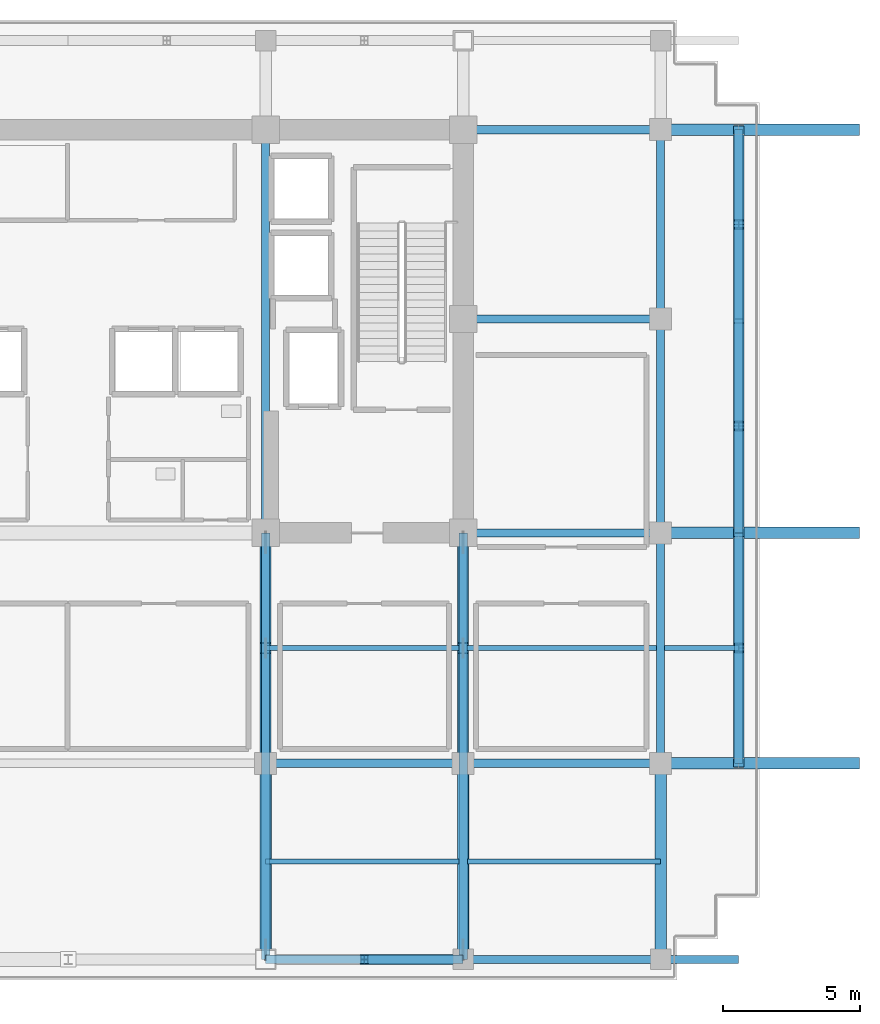
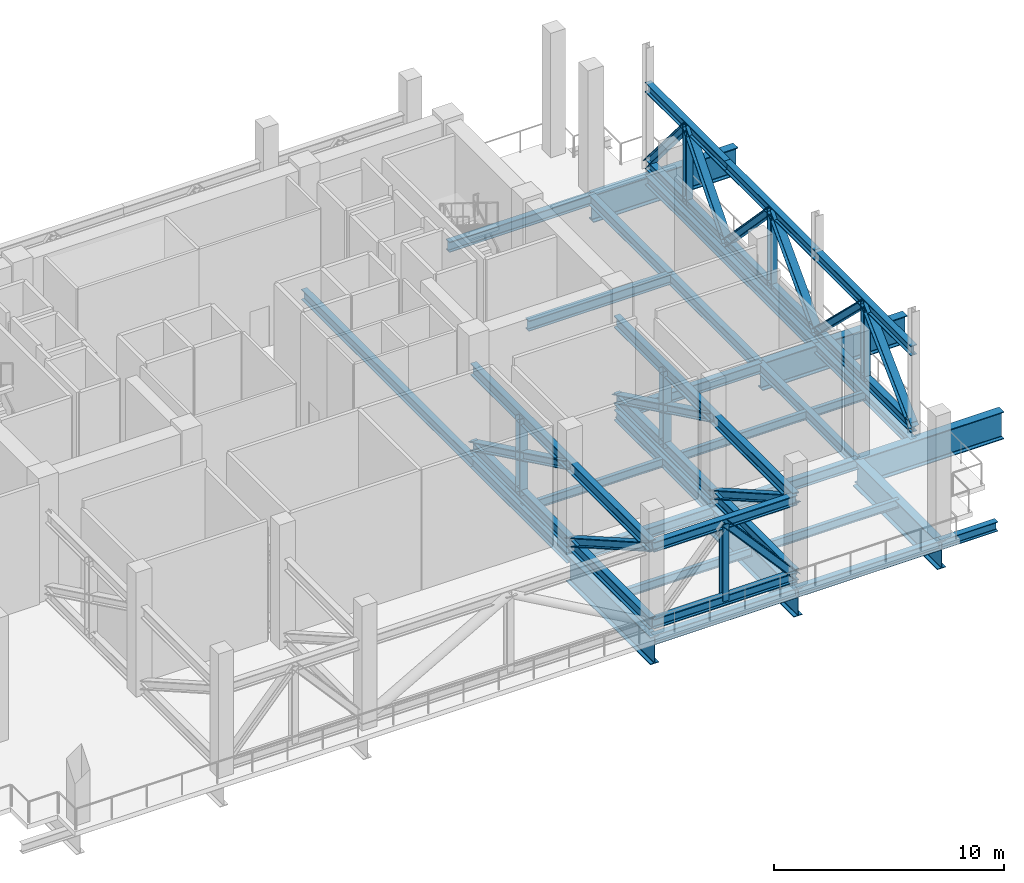
# One storey, part 3 of 13: 29 members, 27 beams.
"""IFC4 building model written with IfcOpenShell, lengths in metres."""

from ifc_helpers import new_model, si_unit, direction, frame, origin, origin_2d, place, context, subcontext, project, spatial, i_section, extrude, source, transform, mapped, material, material_profile, profile_set, type_object, element, save


model = new_model("IFC4")

# Units and contexts
model_context = context("Model", 3, precision=1e-05, world=origin(), true_north=direction((0.0, 1.0)))
body_context = subcontext(model_context, "Body", "Model", "MODEL_VIEW")
ifc_project = project(units=[si_unit("LENGTHUNIT", "METRE"), si_unit("AREAUNIT", "SQUARE_METRE"), si_unit("VOLUMEUNIT", "CUBIC_METRE"), si_unit("PLANEANGLEUNIT", "RADIAN"), si_unit("MASSUNIT", "GRAM", prefix="KILO")], contexts=[model_context])

# Site, building, storey
site_placement = place(None, origin())
site = spatial("IfcSite", under=ifc_project, at=site_placement, CompositionType="ELEMENT")
building_placement = place(site_placement, origin())
building = spatial("IfcBuilding", under=site, at=building_placement, Name="Zarnakvel Exchange Tower", CompositionType="ELEMENT")
storey_placement = place(building_placement, frame((0.0, 0.0, 139.60009765625)))
storey = spatial("IfcBuildingStorey", under=building, at=storey_placement, Name="L39", CompositionType="ELEMENT", Elevation=139.60009765625)

# Beams
ifc_material_1 = material(Name="Steel S355", Category="steel")
ifc_material_profile_1 = material_profile(ifc_material_1, i_section(OverallWidth=0.18994140625, OverallDepth=0.449951171875, WebThickness=0.009521484375, FlangeThickness=0.0146484375, FilletRadius=0.02099609375, at=origin_2d()))
ifc_profile_set_1 = profile_set([ifc_material_profile_1], Name="Steel S355")
beam_type_1 = type_object("IfcBeamType", Name="B-05", PredefinedType="JOIST", material=ifc_profile_set_1)
for number, where, z_axis, x_axis, name in (
    (1, (7.199951171875, -13.175048828125, -0.47509765625), (1.0, 0.0, 0.0), (0.0, 1.0, 0.0), "L39 Composite Floor Secondary Joist"),
    (2, (14.554931640625, -13.175048828125, -0.47509765625), (1.0, 0.0, 0.0), (0.0, 1.0, 0.0), "L39 Composite Floor Secondary Joist"),
):
    element("IfcBeam", number, at=place(storey_placement, frame(where, z_axis=z_axis, x_axis=x_axis)), inside=storey, type_object=beam_type_1, Name=name, PredefinedType="JOIST", context=body_context, shape_type="SweptSolid", body=[
        extrude(i_section(OverallWidth=0.18994140625, OverallDepth=0.449951171875, WebThickness=0.009521484375, FlangeThickness=0.0146484375, FilletRadius=0.02099609375, at=origin_2d()), origin(), (0.0, 0.0, 1.0), 7.045166015625),
    ])
beam_1_placement = place(storey_placement, frame((7.199951171875, -5.39990234375, -0.47509765625), z_axis=(1.0, 0.0, 0.0), x_axis=(0.0, 1.0, 0.0)))
element("IfcBeam", 3, at=beam_1_placement, inside=storey, type_object=beam_type_1, Name="L39 Composite Floor Secondary Joist", PredefinedType="JOIST", context=body_context, shape_type="SweptSolid", body=[
    extrude(i_section(OverallWidth=0.18994140625, OverallDepth=0.449951171875, WebThickness=0.009521484375, FlangeThickness=0.0146484375, FilletRadius=0.02099609375, at=origin_2d()), origin(), (0.0, 0.0, 1.0), 7.050048828125),
])
beam_2_placement = place(storey_placement, frame((14.550048828125, -5.39990234375, -0.47509765625), z_axis=(1.0, 0.0, 0.0), x_axis=(0.0, 1.0, 0.0)))
element("IfcBeam", 4, at=beam_2_placement, inside=storey, type_object=beam_type_1, Name="L39 Composite Floor Secondary Joist", PredefinedType="JOIST", context=body_context, shape_type="SweptSolid", body=[
    extrude(i_section(OverallWidth=0.18994140625, OverallDepth=0.449951171875, WebThickness=0.009521484375, FlangeThickness=0.0146484375, FilletRadius=0.02099609375, at=origin_2d()), origin(), (0.0, 0.0, 1.0), 6.89990234375),
])
beam_3_placement = place(storey_placement, frame((21.75, -5.39990234375, -0.47509765625), z_axis=(1.0, 0.0, 0.0), x_axis=(0.0, 1.0, 0.0)))
element("IfcBeam", 5, at=beam_3_placement, inside=storey, type_object=beam_type_1, Name="L39 Composite Floor Secondary Joist", PredefinedType="JOIST", context=body_context, shape_type="SweptSolid", body=[
    extrude(i_section(OverallWidth=0.18994140625, OverallDepth=0.449951171875, WebThickness=0.009521484375, FlangeThickness=0.0146484375, FilletRadius=0.02099609375, at=origin_2d()), origin(), (0.0, 0.0, 1.0), 2.699951171875),
])
ifc_material_profile_2 = material_profile(ifc_material_1, i_section(OverallWidth=0.300048828125, OverallDepth=0.550048828125, WebThickness=0.014892578125, FlangeThickness=0.029052734375, FilletRadius=0.027099609375, at=origin_2d()))
ifc_profile_set_2 = profile_set([ifc_material_profile_2], Name="Steel S355")
beam_type_2 = type_object("IfcBeamType", Name="G-05", PredefinedType="BEAM", material=ifc_profile_set_2)
beam_4_placement = place(storey_placement, frame((7.199951171875, -9.60009765625, -0.525146484375), z_axis=(1.0, 0.0, 0.0), x_axis=(0.0, 1.0, 0.0)))
element("IfcBeam", 6, at=beam_4_placement, inside=storey, type_object=beam_type_2, Name="L39 Tower E-W Frame Beam", PredefinedType="BEAM", context=body_context, shape_type="SweptSolid", body=[
    extrude(i_section(OverallWidth=0.300048828125, OverallDepth=0.550048828125, WebThickness=0.014892578125, FlangeThickness=0.029052734375, FilletRadius=0.027099609375, at=origin_2d()), origin(), (0.0, 0.0, 1.0), 7.199951171875),
])
for number, where, z_axis, x_axis, name in (
    (7, (14.39990234375, -9.60009765625, -0.525146484375), (1.0, 0.0, 0.0), (0.0, 1.0, 0.0), "L39 Tower E-W Frame Beam"),
    (8, (14.39990234375, -1.199951171875, -0.525146484375), (1.0, 0.0, 0.0), (0.0, 1.0, 0.0), "L39 Tower E-W Frame Beam"),
    (9, (14.39990234375, 6.60009765625, -0.525146484375), (1.0, 0.0, 0.0), (0.0, 1.0, 0.0), "L39 Tower E-W Frame Beam"),
    (10, (14.39990234375, 13.5, -0.525146484375), (1.0, 0.0, 0.0), (0.0, 1.0, 0.0), "L39 Tower E-W Frame Beam"),
):
    element("IfcBeam", number, at=place(storey_placement, frame(where, z_axis=z_axis, x_axis=x_axis)), inside=storey, type_object=beam_type_2, Name=name, PredefinedType="BEAM", context=body_context, shape_type="SweptSolid", body=[
        extrude(i_section(OverallWidth=0.300048828125, OverallDepth=0.550048828125, WebThickness=0.014892578125, FlangeThickness=0.029052734375, FilletRadius=0.027099609375, at=origin_2d()), origin(), (0.0, 0.0, 1.0), 7.2001953125),
    ])
beam_5_placement = place(storey_placement, frame((7.199951171875, -9.60009765625, -0.525146484375), z_axis=(0.0, 1.0, 0.0), x_axis=(-1.0, 0.0, 0.0)))
element("IfcBeam", 11, at=beam_5_placement, inside=storey, type_object=beam_type_2, Name="L39 Tower N-S Frame Beam", PredefinedType="BEAM", context=body_context, shape_type="SweptSolid", body=[
    extrude(i_section(OverallWidth=0.300048828125, OverallDepth=0.550048828125, WebThickness=0.014892578125, FlangeThickness=0.029052734375, FilletRadius=0.027099609375, at=origin_2d()), origin(), (0.0, 0.0, 1.0), 8.400146484375),
])
beam_6_placement = place(storey_placement, frame((7.199951171875, -1.199951171875, -0.525146484375), z_axis=(0.0, 1.0, 0.0), x_axis=(-1.0, 0.0, 0.0)))
element("IfcBeam", 12, at=beam_6_placement, inside=storey, type_object=beam_type_2, Name="L39 Tower N-S Frame Beam", PredefinedType="BEAM", context=body_context, shape_type="SweptSolid", body=[
    extrude(i_section(OverallWidth=0.300048828125, OverallDepth=0.550048828125, WebThickness=0.014892578125, FlangeThickness=0.029052734375, FilletRadius=0.027099609375, at=origin_2d()), origin(), (0.0, 0.0, 1.0), 14.699951171875),
])
for number, where, z_axis, x_axis, name in (
    (13, (14.39990234375, -9.60009765625, -0.525146484375), (0.0, 1.0, 0.0), (-1.0, 0.0, 0.0), "L39 Tower N-S Frame Beam"),
    (14, (21.60009765625, -9.60009765625, -0.525146484375), (0.0, 1.0, 0.0), (-1.0, 0.0, 0.0), "L39 Tower N-S Frame Beam"),
):
    element("IfcBeam", number, at=place(storey_placement, frame(where, z_axis=z_axis, x_axis=x_axis)), inside=storey, type_object=beam_type_2, Name=name, PredefinedType="BEAM", context=body_context, shape_type="SweptSolid", body=[
        extrude(i_section(OverallWidth=0.300048828125, OverallDepth=0.550048828125, WebThickness=0.014892578125, FlangeThickness=0.029052734375, FilletRadius=0.027099609375, at=origin_2d()), origin(), (0.0, 0.0, 1.0), 8.400146484375),
    ])
beam_7_placement = place(storey_placement, frame((21.60009765625, -1.199951171875, -0.525146484375), z_axis=(0.0, 1.0, 0.0), x_axis=(-1.0, 0.0, 0.0)))
element("IfcBeam", 15, at=beam_7_placement, inside=storey, type_object=beam_type_2, Name="L39 Tower N-S Frame Beam", PredefinedType="BEAM", context=body_context, shape_type="SweptSolid", body=[
    extrude(i_section(OverallWidth=0.300048828125, OverallDepth=0.550048828125, WebThickness=0.014892578125, FlangeThickness=0.029052734375, FilletRadius=0.027099609375, at=origin_2d()), origin(), (0.0, 0.0, 1.0), 7.800048828125),
])
beam_8_placement = place(storey_placement, frame((21.60009765625, 6.60009765625, -0.525146484375), z_axis=(0.0, 1.0, 0.0), x_axis=(-1.0, 0.0, 0.0)))
element("IfcBeam", 16, at=beam_8_placement, inside=storey, type_object=beam_type_2, Name="L39 Tower N-S Frame Beam", PredefinedType="BEAM", context=body_context, shape_type="SweptSolid", body=[
    extrude(i_section(OverallWidth=0.300048828125, OverallDepth=0.550048828125, WebThickness=0.014892578125, FlangeThickness=0.029052734375, FilletRadius=0.027099609375, at=origin_2d()), origin(), (0.0, 0.0, 1.0), 6.89990234375),
])
ifc_material_profile_3 = material_profile(ifc_material_1, i_section(OverallWidth=0.300048828125, OverallDepth=0.5, WebThickness=0.014404296875, FlangeThickness=0.028076171875, FilletRadius=0.027099609375, at=origin_2d()))
ifc_profile_set_3 = profile_set([ifc_material_profile_3], Name="Steel S355")
beam_type_3 = type_object("IfcBeamType", Name="SP-02", PredefinedType="SPANDREL", material=ifc_profile_set_3)
beam_9_placement = place(storey_placement, frame((7.199951171875, -16.75, -0.5), z_axis=(1.0, 0.0, 0.0), x_axis=(0.0, 1.0, 0.0)))
element("IfcBeam", 17, at=beam_9_placement, inside=storey, type_object=beam_type_3, Name="L39 Tower E-W Frame Beam", PredefinedType="SPANDREL", context=body_context, shape_type="SweptSolid", body=[
    extrude(i_section(OverallWidth=0.300048828125, OverallDepth=0.5, WebThickness=0.014404296875, FlangeThickness=0.028076171875, FilletRadius=0.027099609375, at=origin_2d()), origin(), (0.0, 0.0, 1.0), 7.199951171875),
])
beam_10_placement = place(storey_placement, frame((14.39990234375, -16.75, -0.5), z_axis=(1.0, 0.0, 0.0), x_axis=(0.0, 1.0, 0.0)))
element("IfcBeam", 18, at=beam_10_placement, inside=storey, type_object=beam_type_3, Name="L39 Tower E-W Frame Beam", PredefinedType="SPANDREL", context=body_context, shape_type="SweptSolid", body=[
    extrude(i_section(OverallWidth=0.300048828125, OverallDepth=0.5, WebThickness=0.014404296875, FlangeThickness=0.028076171875, FilletRadius=0.027099609375, at=origin_2d()), origin(), (0.0, 0.0, 1.0), 7.2001953125),
])
beam_11_placement = place(storey_placement, frame((24.449951171875, -9.60009765625, -0.5), z_axis=(0.0, 1.0, 0.0), x_axis=(-1.0, 0.0, 0.0)))
element("IfcBeam", 19, at=beam_11_placement, inside=storey, type_object=beam_type_3, Name="L39 Tower N-S Frame Beam", PredefinedType="SPANDREL", context=body_context, shape_type="SweptSolid", body=[
    extrude(i_section(OverallWidth=0.300048828125, OverallDepth=0.5, WebThickness=0.014404296875, FlangeThickness=0.028076171875, FilletRadius=0.027099609375, at=origin_2d()), origin(), (0.0, 0.0, 1.0), 8.400146484375),
])
beam_12_placement = place(storey_placement, frame((24.449951171875, -1.199951171875, -0.5), z_axis=(0.0, 1.0, 0.0), x_axis=(-1.0, 0.0, 0.0)))
element("IfcBeam", 20, at=beam_12_placement, inside=storey, type_object=beam_type_3, Name="L39 Tower N-S Frame Beam", PredefinedType="SPANDREL", context=body_context, shape_type="SweptSolid", body=[
    extrude(i_section(OverallWidth=0.300048828125, OverallDepth=0.5, WebThickness=0.014404296875, FlangeThickness=0.028076171875, FilletRadius=0.027099609375, at=origin_2d()), origin(), (0.0, 0.0, 1.0), 14.699951171875),
])
beam_13_placement = place(storey_placement, frame((21.60009765625, -16.75, -0.5), z_axis=(1.0, 0.0, 0.0), x_axis=(0.0, 1.0, 0.0)))
element("IfcBeam", 21, at=beam_13_placement, inside=storey, type_object=beam_type_3, Name="L39 South-East Corner Spandrel", PredefinedType="SPANDREL", context=body_context, shape_type="SweptSolid", body=[
    extrude(i_section(OverallWidth=0.300048828125, OverallDepth=0.5, WebThickness=0.014404296875, FlangeThickness=0.028076171875, FilletRadius=0.027099609375, at=origin_2d()), origin(), (0.0, 0.0, 1.0), 2.849853515625),
])
ifc_material_2 = material(Name="Steel S460", Category="steel")
ifc_material_profile_4 = material_profile(ifc_material_2, i_section(OverallWidth=0.419921875, OverallDepth=1.449951171875, WebThickness=0.02392578125, FlangeThickness=0.0400390625, FilletRadius=0.030029296875, at=origin_2d()))
ifc_profile_set_4 = profile_set([ifc_material_profile_4], Name="Steel S460")
beam_type_4 = type_object("IfcBeamType", Name="TG-01", PredefinedType="BEAM", material=ifc_profile_set_4)
for number, where, z_axis, x_axis, name in (
    (22, (7.199951171875, -16.949951171875, -0.97509765625), (0.0, 1.0, 0.0), (-1.0, 0.0, 0.0), "L39 Setback N-S Transfer Girder TS-8"),
    (23, (14.39990234375, -16.949951171875, -0.97509765625), (0.0, 1.0, 0.0), (-1.0, 0.0, 0.0), "L39 Setback N-S Transfer Girder TS-9"),
    (24, (21.60009765625, -16.949951171875, -0.97509765625), (0.0, 1.0, 0.0), (-1.0, 0.0, 0.0), "L39 Setback N-S Transfer Girder TS-10"),
):
    element("IfcBeam", number, at=place(storey_placement, frame(where, z_axis=z_axis, x_axis=x_axis)), inside=storey, type_object=beam_type_4, Name=name, PredefinedType="BEAM", context=body_context, shape_type="SweptSolid", body=[
        extrude(i_section(OverallWidth=0.419921875, OverallDepth=1.449951171875, WebThickness=0.02392578125, FlangeThickness=0.0400390625, FilletRadius=0.030029296875, at=origin_2d()), origin(), (0.0, 0.0, 1.0), 7.349853515625),
    ])
for number, where, z_axis, x_axis, name in (
    (25, (21.60009765625, -9.60009765625, -0.97509765625), (1.0, 0.0, 0.0), (0.0, 1.0, 0.0), "L39 Setback E-W Transfer Girder TE-C"),
    (26, (21.60009765625, -1.199951171875, -0.97509765625), (1.0, 0.0, 0.0), (0.0, 1.0, 0.0), "L39 Setback E-W Transfer Girder TE-D"),
    (27, (21.60009765625, 13.5, -0.97509765625), (1.0, 0.0, 0.0), (0.0, 1.0, 0.0), "L39 Setback E-W Transfer Girder TE-F"),
):
    element("IfcBeam", number, at=place(storey_placement, frame(where, z_axis=z_axis, x_axis=x_axis)), inside=storey, type_object=beam_type_4, Name=name, PredefinedType="BEAM", context=body_context, shape_type="SweptSolid", body=[
        extrude(i_section(OverallWidth=0.419921875, OverallDepth=1.449951171875, WebThickness=0.02392578125, FlangeThickness=0.0400390625, FilletRadius=0.030029296875, at=origin_2d()), origin(), (0.0, 0.0, 1.0), 7.25),
    ])

# Members
ifc_material_profile_5 = material_profile(ifc_material_1, i_section(OverallWidth=0.305908203125, OverallDepth=0.52392578125, WebThickness=0.02099609375, FlangeThickness=0.0400390625, FilletRadius=0.027099609375, at=origin_2d()))
ifc_profile_set_5 = profile_set([ifc_material_profile_5], Name="Steel S355")
member_type_1 = type_object("IfcMemberType", Name="BT-02", PredefinedType="CHORD", material=ifc_profile_set_5)
shared_shape_1 = source(origin(), body_context, "Body", "SweptSolid", [
    extrude(i_section(OverallWidth=0.305908203125, OverallDepth=0.52392578125, WebThickness=0.02099609375, FlangeThickness=0.0400390625, FilletRadius=0.027099609375, at=origin_2d()), origin(), (0.0, 0.0, 1.0), 7.199951171875),
])
for number, where, z_axis, x_axis, name in (
    (28, (7.199951171875, -16.75, 0.349853515625), (1.0, 0.0, 0.0), (0.0, 1.0, 0.0), "L39 Belt Truss Bottom Chord S-E1"),
    (29, (7.199951171875, -16.75, 4.4248046875), (1.0, 0.0, 0.0), (0.0, 1.0, 0.0), "L39 Belt Truss Top Chord S-E1"),
):
    element("IfcMember", number, at=place(storey_placement, frame(where, z_axis=z_axis, x_axis=x_axis)), inside=storey, type_object=member_type_1, Name=name, PredefinedType="CHORD", context=body_context, shape_type="MappedRepresentation", body=[
        mapped(shared_shape_1, transform((0.0, 0.0, 0.0), x_axis=(1.0, 0.0, 0.0), y_axis=(0.0, 1.0, 0.0), z_axis=(0.0, 0.0, 1.0), scale=1.0)),
    ])
shared_shape_2 = source(origin(), body_context, "Body", "SweptSolid", [
    extrude(i_section(OverallWidth=0.305908203125, OverallDepth=0.52392578125, WebThickness=0.02099609375, FlangeThickness=0.0400390625, FilletRadius=0.027099609375, at=origin_2d()), origin(), (0.0, 0.0, 1.0), 8.400146484375),
])
for number, where, z_axis, x_axis, name in (
    (30, (24.449951171875, -9.60009765625, 0.349853515625), (0.0, 1.0, 0.0), (-1.0, 0.0, 0.0), "L39 Belt Truss Bottom Chord E-1"),
    (31, (24.449951171875, -9.60009765625, 4.4248046875), (0.0, 1.0, 0.0), (-1.0, 0.0, 0.0), "L39 Belt Truss Top Chord E-1"),
):
    element("IfcMember", number, at=place(storey_placement, frame(where, z_axis=z_axis, x_axis=x_axis)), inside=storey, type_object=member_type_1, Name=name, PredefinedType="CHORD", context=body_context, shape_type="MappedRepresentation", body=[
        mapped(shared_shape_2, transform((0.0, 0.0, 0.0), x_axis=(1.0, 0.0, 0.0), y_axis=(0.0, 1.0, 0.0), z_axis=(0.0, 0.0, 1.0), scale=1.0)),
    ])
shared_shape_3 = source(origin(), body_context, "Body", "SweptSolid", [
    extrude(i_section(OverallWidth=0.305908203125, OverallDepth=0.52392578125, WebThickness=0.02099609375, FlangeThickness=0.0400390625, FilletRadius=0.027099609375, at=origin_2d()), origin(), (0.0, 0.0, 1.0), 7.800048828125),
])
for number, where, z_axis, x_axis, name in (
    (32, (24.449951171875, -1.199951171875, 0.349853515625), (0.0, 1.0, 0.0), (-1.0, 0.0, 0.0), "L39 Belt Truss Bottom Chord E-2"),
    (33, (24.449951171875, -1.199951171875, 4.4248046875), (0.0, 1.0, 0.0), (-1.0, 0.0, 0.0), "L39 Belt Truss Top Chord E-2"),
):
    element("IfcMember", number, at=place(storey_placement, frame(where, z_axis=z_axis, x_axis=x_axis)), inside=storey, type_object=member_type_1, Name=name, PredefinedType="CHORD", context=body_context, shape_type="MappedRepresentation", body=[
        mapped(shared_shape_3, transform((0.0, 0.0, 0.0), x_axis=(1.0, 0.0, 0.0), y_axis=(0.0, 1.0, 0.0), z_axis=(0.0, 0.0, 1.0), scale=1.0)),
    ])
shared_shape_4 = source(origin(), body_context, "Body", "SweptSolid", [
    extrude(i_section(OverallWidth=0.305908203125, OverallDepth=0.52392578125, WebThickness=0.02099609375, FlangeThickness=0.0400390625, FilletRadius=0.027099609375, at=origin_2d()), origin(), (0.0, 0.0, 1.0), 6.89990234375),
])
for number, where, z_axis, x_axis, name in (
    (34, (24.449951171875, 6.60009765625, 0.349853515625), (0.0, 1.0, 0.0), (-1.0, 0.0, 0.0), "L39 Belt Truss Bottom Chord E-3"),
    (35, (24.449951171875, 6.60009765625, 4.4248046875), (0.0, 1.0, 0.0), (-1.0, 0.0, 0.0), "L39 Belt Truss Top Chord E-3"),
):
    element("IfcMember", number, at=place(storey_placement, frame(where, z_axis=z_axis, x_axis=x_axis)), inside=storey, type_object=member_type_1, Name=name, PredefinedType="CHORD", context=body_context, shape_type="MappedRepresentation", body=[
        mapped(shared_shape_4, transform((0.0, 0.0, 0.0), x_axis=(1.0, 0.0, 0.0), y_axis=(0.0, 1.0, 0.0), z_axis=(0.0, 0.0, 1.0), scale=1.0)),
    ])
ifc_material_profile_6 = material_profile(ifc_material_2, i_section(OverallWidth=0.304931640625, OverallDepth=0.6201171875, WebThickness=0.02099609375, FlangeThickness=0.0400390625, FilletRadius=0.027099609375, at=origin_2d()))
ifc_profile_set_6 = profile_set([ifc_material_profile_6], Name="Steel S460")
member_type_2 = type_object("IfcMemberType", Name="OT-02", PredefinedType="CHORD", material=ifc_profile_set_6)
shared_shape_5 = source(origin(), body_context, "Body", "SweptSolid", [
    extrude(i_section(OverallWidth=0.304931640625, OverallDepth=0.6201171875, WebThickness=0.02099609375, FlangeThickness=0.0400390625, FilletRadius=0.027099609375, at=origin_2d()), origin(), (0.0, 0.0, 1.0), 15.550048828125),
])
for number, where, z_axis, x_axis, name in (
    (36, (7.199951171875, -16.75, 0.349853515625), (0.0, 1.0, 0.0), (-1.0, 0.0, 0.0), "L39 Outrigger Bottom Chord Grid 8"),
    (37, (7.199951171875, -16.75, 4.4248046875), (0.0, 1.0, 0.0), (-1.0, 0.0, 0.0), "L39 Outrigger Top Chord Grid 8"),
    (38, (14.39990234375, -16.75, 0.349853515625), (0.0, 1.0, 0.0), (-1.0, 0.0, 0.0), "L39 Outrigger Bottom Chord Grid 9"),
    (39, (14.39990234375, -16.75, 4.4248046875), (0.0, 1.0, 0.0), (-1.0, 0.0, 0.0), "L39 Outrigger Top Chord Grid 9"),
):
    element("IfcMember", number, at=place(storey_placement, frame(where, z_axis=z_axis, x_axis=x_axis)), inside=storey, type_object=member_type_2, Name=name, PredefinedType="CHORD", context=body_context, shape_type="MappedRepresentation", body=[
        mapped(shared_shape_5, transform((0.0, 0.0, 0.0), x_axis=(1.0, 0.0, 0.0), y_axis=(0.0, 1.0, 0.0), z_axis=(0.0, 0.0, 1.0), scale=1.0)),
    ])
ifc_material_profile_7 = material_profile(ifc_material_2, i_section(OverallWidth=0.404052734375, OverallDepth=0.406982421875, WebThickness=0.0224609375, FlangeThickness=0.031982421875, FilletRadius=0.014892578125, at=origin_2d()))
ifc_profile_set_7 = profile_set([ifc_material_profile_7], Name="Steel S460")
member_type_3 = type_object("IfcMemberType", Name="OT-03", PredefinedType="STRUT", material=ifc_profile_set_7)
shared_shape_6 = source(origin(), body_context, "Body", "SweptSolid", [
    extrude(i_section(OverallWidth=0.404052734375, OverallDepth=0.406982421875, WebThickness=0.0224609375, FlangeThickness=0.031982421875, FilletRadius=0.014892578125, at=origin_2d()), origin(), (0.0, 0.0, 1.0), 4.074951171875),
])
for number, where, z_axis, x_axis, name in (
    (40, (7.199951171875, -5.39990234375, 0.349853515625), (0.0, 0.0, 1.0), (1.0, 0.0, 0.0), "L39 Outrigger Web Post Grid 8"),
    (41, (14.39990234375, -5.39990234375, 0.349853515625), (0.0, 0.0, 1.0), (1.0, 0.0, 0.0), "L39 Outrigger Web Post Grid 9"),
):
    element("IfcMember", number, at=place(storey_placement, frame(where, z_axis=z_axis, x_axis=x_axis)), inside=storey, type_object=member_type_3, Name=name, PredefinedType="STRUT", context=body_context, shape_type="MappedRepresentation", body=[
        mapped(shared_shape_6, transform((0.0, 0.0, 0.0), x_axis=(1.0, 0.0, 0.0), y_axis=(0.0, 1.0, 0.0), z_axis=(0.0, 0.0, 1.0), scale=1.0)),
    ])
ifc_material_profile_8 = material_profile(ifc_material_2, i_section(OverallWidth=0.412109375, OverallDepth=0.425048828125, WebThickness=0.02587890625, FlangeThickness=0.0390625, FilletRadius=0.014892578125, at=origin_2d()))
ifc_profile_set_8 = profile_set([ifc_material_profile_8], Name="Steel S460")
member_type_4 = type_object("IfcMemberType", Name="OT-01", PredefinedType="BRACE", material=ifc_profile_set_8)
shared_shape_7 = source(origin(), body_context, "Body", "SweptSolid", [
    extrude(i_section(OverallWidth=0.412109375, OverallDepth=0.425048828125, WebThickness=0.02587890625, FlangeThickness=0.0390625, FilletRadius=0.014892578125, at=origin_2d()), origin(), (0.0, 0.0, 1.0), 9.33642578125),
])
for number, where, z_axis, x_axis, name in (
    (42, (7.199951171875, -1.199951171875, 0.349853515625), (0.0, -0.89972356607, 0.436460198252), (1.0, 0.0, 0.0), "L39 Outrigger Inner Diagonal 1 Grid 8"),
    (43, (14.39990234375, -1.199951171875, 0.349853515625), (0.0, -0.89972356607, 0.436460198252), (1.0, 0.0, 0.0), "L39 Outrigger Inner Diagonal 1 Grid 9"),
):
    element("IfcMember", number, at=place(storey_placement, frame(where, z_axis=z_axis, x_axis=x_axis)), inside=storey, type_object=member_type_4, Name=name, PredefinedType="BRACE", context=body_context, shape_type="MappedRepresentation", body=[
        mapped(shared_shape_7, transform((0.0, 0.0, 0.0), x_axis=(1.0, 0.0, 0.0), y_axis=(0.0, 1.0, 0.0), z_axis=(0.0, 0.0, 1.0), scale=1.0)),
    ])
shared_shape_8 = source(origin(), body_context, "Body", "SweptSolid", [
    extrude(i_section(OverallWidth=0.412109375, OverallDepth=0.425048828125, WebThickness=0.02587890625, FlangeThickness=0.0390625, FilletRadius=0.014892578125, at=origin_2d()), origin(), (0.0, 0.0, 1.0), 8.2294921875),
])
for number, where, z_axis, x_axis, name in (
    (44, (7.199951171875, -9.60009765625, 0.349853515625), (0.0, -0.868803050291, 0.49515781303), (1.0, 0.0, 0.0), "L39 Outrigger Outer Diagonal 2 Grid 8"),
    (45, (14.39990234375, -9.60009765625, 0.349853515625), (0.0, -0.868803050291, 0.49515781303), (1.0, 0.0, 0.0), "L39 Outrigger Outer Diagonal 2 Grid 9"),
):
    element("IfcMember", number, at=place(storey_placement, frame(where, z_axis=z_axis, x_axis=x_axis)), inside=storey, type_object=member_type_4, Name=name, PredefinedType="BRACE", context=body_context, shape_type="MappedRepresentation", body=[
        mapped(shared_shape_8, transform((0.0, 0.0, 0.0), x_axis=(1.0, 0.0, 0.0), y_axis=(0.0, 1.0, 0.0), z_axis=(0.0, 0.0, 1.0), scale=1.0)),
    ])
ifc_material_profile_9 = material_profile(ifc_material_1, i_section(OverallWidth=0.30908203125, OverallDepth=0.35888671875, WebThickness=0.02099609375, FlangeThickness=0.033935546875, FilletRadius=0.014892578125, at=origin_2d()))
ifc_profile_set_9 = profile_set([ifc_material_profile_9], Name="Steel S355")
member_type_5 = type_object("IfcMemberType", Name="BT-03", PredefinedType="STRUT", material=ifc_profile_set_9)
shared_shape_9 = source(origin(), body_context, "Body", "SweptSolid", [
    extrude(i_section(OverallWidth=0.30908203125, OverallDepth=0.35888671875, WebThickness=0.02099609375, FlangeThickness=0.033935546875, FilletRadius=0.014892578125, at=origin_2d()), origin(), (0.0, 0.0, 1.0), 4.074951171875),
])
for number, where, z_axis, x_axis, name in (
    (46, (10.800048828125, -16.75, 0.349853515625), (0.0, 0.0, 1.0), (1.0, 0.0, 0.0), "L39 Belt Truss Vertical Post S-E1"),
    (47, (24.449951171875, -5.39990234375, 0.349853515625), (0.0, 0.0, 1.0), (1.0, 0.0, 0.0), "L39 Belt Truss Vertical Post E-1"),
    (48, (24.449951171875, 2.699951171875, 0.349853515625), (0.0, 0.0, 1.0), (1.0, 0.0, 0.0), "L39 Belt Truss Vertical Post E-2"),
    (49, (24.449951171875, 10.050048828125, 0.349853515625), (0.0, 0.0, 1.0), (1.0, 0.0, 0.0), "L39 Belt Truss Vertical Post E-3"),
):
    element("IfcMember", number, at=place(storey_placement, frame(where, z_axis=z_axis, x_axis=x_axis)), inside=storey, type_object=member_type_5, Name=name, PredefinedType="STRUT", context=body_context, shape_type="MappedRepresentation", body=[
        mapped(shared_shape_9, transform((0.0, 0.0, 0.0), x_axis=(1.0, 0.0, 0.0), y_axis=(0.0, 1.0, 0.0), z_axis=(0.0, 0.0, 1.0), scale=1.0)),
    ])
ifc_material_profile_10 = material_profile(ifc_material_1, i_section(OverallWidth=0.3740234375, OverallDepth=0.364013671875, WebThickness=0.01806640625, FlangeThickness=0.027587890625, FilletRadius=0.014892578125, at=origin_2d()))
ifc_profile_set_10 = profile_set([ifc_material_profile_10], Name="Steel S355")
member_type_6 = type_object("IfcMemberType", Name="BT-01", PredefinedType="BRACE", material=ifc_profile_set_10)
shared_shape_10 = source(origin(), body_context, "Body", "SweptSolid", [
    extrude(i_section(OverallWidth=0.3740234375, OverallDepth=0.364013671875, WebThickness=0.01806640625, FlangeThickness=0.027587890625, FilletRadius=0.014892578125, at=origin_2d()), origin(), (0.0, 0.0, 1.0), 5.437255859375),
])
member_1_placement = place(storey_placement, frame((14.39990234375, -16.75, 0.349853515625), z_axis=(-0.66206703727, 0.0, 0.749444619809), x_axis=(0.0, -1.0, 0.0)))
element("IfcMember", 50, at=member_1_placement, inside=storey, type_object=member_type_6, Name="L39 Belt Truss Chevron Right S-E1", PredefinedType="BRACE", context=body_context, shape_type="MappedRepresentation", body=[
    mapped(shared_shape_10, transform((0.0, 0.0, 0.0), x_axis=(1.0, 0.0, 0.0), y_axis=(0.0, 1.0, 0.0), z_axis=(0.0, 0.0, 1.0), scale=1.0)),
])
shared_shape_11 = source(origin(), body_context, "Body", "SweptSolid", [
    extrude(i_section(OverallWidth=0.3740234375, OverallDepth=0.364013671875, WebThickness=0.01806640625, FlangeThickness=0.027587890625, FilletRadius=0.014892578125, at=origin_2d()), origin(), (0.0, 0.0, 1.0), 5.85205078125),
])
member_2_placement = place(storey_placement, frame((24.449951171875, -9.60009765625, 0.349853515625), z_axis=(0.0, 0.717726625898, 0.696324989123), x_axis=(-1.0, 0.0, 0.0)))
element("IfcMember", 51, at=member_2_placement, inside=storey, type_object=member_type_6, Name="L39 Belt Truss Chevron Left E-1", PredefinedType="BRACE", context=body_context, shape_type="MappedRepresentation", body=[
    mapped(shared_shape_11, transform((0.0, 0.0, 0.0), x_axis=(1.0, 0.0, 0.0), y_axis=(0.0, 1.0, 0.0), z_axis=(0.0, 0.0, 1.0), scale=1.0)),
])
shared_shape_12 = source(origin(), body_context, "Body", "SweptSolid", [
    extrude(i_section(OverallWidth=0.3740234375, OverallDepth=0.364013671875, WebThickness=0.01806640625, FlangeThickness=0.027587890625, FilletRadius=0.014892578125, at=origin_2d()), origin(), (0.0, 0.0, 1.0), 5.851806640625),
])
member_3_placement = place(storey_placement, frame((24.449951171875, -1.199951171875, 0.349853515625), z_axis=(0.0, -0.71770639696, 0.696345839194), x_axis=(1.0, 0.0, 0.0)))
element("IfcMember", 52, at=member_3_placement, inside=storey, type_object=member_type_6, Name="L39 Belt Truss Chevron Right E-1", PredefinedType="BRACE", context=body_context, shape_type="MappedRepresentation", body=[
    mapped(shared_shape_12, transform((0.0, 0.0, 0.0), x_axis=(1.0, 0.0, 0.0), y_axis=(0.0, 1.0, 0.0), z_axis=(0.0, 0.0, 1.0), scale=1.0)),
])
shared_shape_13 = source(origin(), body_context, "Body", "SweptSolid", [
    extrude(i_section(OverallWidth=0.3740234375, OverallDepth=0.364013671875, WebThickness=0.01806640625, FlangeThickness=0.027587890625, FilletRadius=0.014892578125, at=origin_2d()), origin(), (0.0, 0.0, 1.0), 5.640380859375),
])
member_4_placement = place(storey_placement, frame((24.449951171875, -1.199951171875, 0.349853515625), z_axis=(0.0, 0.691419171791, 0.722453824738), x_axis=(-1.0, 0.0, 0.0)))
element("IfcMember", 53, at=member_4_placement, inside=storey, type_object=member_type_6, Name="L39 Belt Truss Chevron Left E-2", PredefinedType="BRACE", context=body_context, shape_type="MappedRepresentation", body=[
    mapped(shared_shape_13, transform((0.0, 0.0, 0.0), x_axis=(1.0, 0.0, 0.0), y_axis=(0.0, 1.0, 0.0), z_axis=(0.0, 0.0, 1.0), scale=1.0)),
])
shared_shape_14 = source(origin(), body_context, "Body", "SweptSolid", [
    extrude(i_section(OverallWidth=0.3740234375, OverallDepth=0.364013671875, WebThickness=0.01806640625, FlangeThickness=0.027587890625, FilletRadius=0.014892578125, at=origin_2d()), origin(), (0.0, 0.0, 1.0), 5.640625),
])
member_5_placement = place(storey_placement, frame((24.449951171875, 6.60009765625, 0.349853515625), z_axis=(0.0, -0.691441762426, 0.722432203859), x_axis=(1.0, 0.0, 0.0)))
element("IfcMember", 54, at=member_5_placement, inside=storey, type_object=member_type_6, Name="L39 Belt Truss Chevron Right E-2", PredefinedType="BRACE", context=body_context, shape_type="MappedRepresentation", body=[
    mapped(shared_shape_14, transform((0.0, 0.0, 0.0), x_axis=(1.0, 0.0, 0.0), y_axis=(0.0, 1.0, 0.0), z_axis=(0.0, 0.0, 1.0), scale=1.0)),
])
shared_shape_15 = source(origin(), body_context, "Body", "SweptSolid", [
    extrude(i_section(OverallWidth=0.3740234375, OverallDepth=0.364013671875, WebThickness=0.01806640625, FlangeThickness=0.027587890625, FilletRadius=0.014892578125, at=origin_2d()), origin(), (0.0, 0.0, 1.0), 5.339111328125),
])
for number, where, z_axis, x_axis, name in (
    (55, (24.449951171875, 6.60009765625, 0.349853515625), (0.0, 0.646151294523, 0.76320934519), (-1.0, 0.0, 0.0), "L39 Belt Truss Chevron Left E-3"),
    (56, (24.449951171875, 13.5, 0.349853515625), (0.0, -0.646151294523, 0.76320934519), (1.0, 0.0, 0.0), "L39 Belt Truss Chevron Right E-3"),
):
    element("IfcMember", number, at=place(storey_placement, frame(where, z_axis=z_axis, x_axis=x_axis)), inside=storey, type_object=member_type_6, Name=name, PredefinedType="BRACE", context=body_context, shape_type="MappedRepresentation", body=[
        mapped(shared_shape_15, transform((0.0, 0.0, 0.0), x_axis=(1.0, 0.0, 0.0), y_axis=(0.0, 1.0, 0.0), z_axis=(0.0, 0.0, 1.0), scale=1.0)),
    ])

save(model, "model.ifc")
